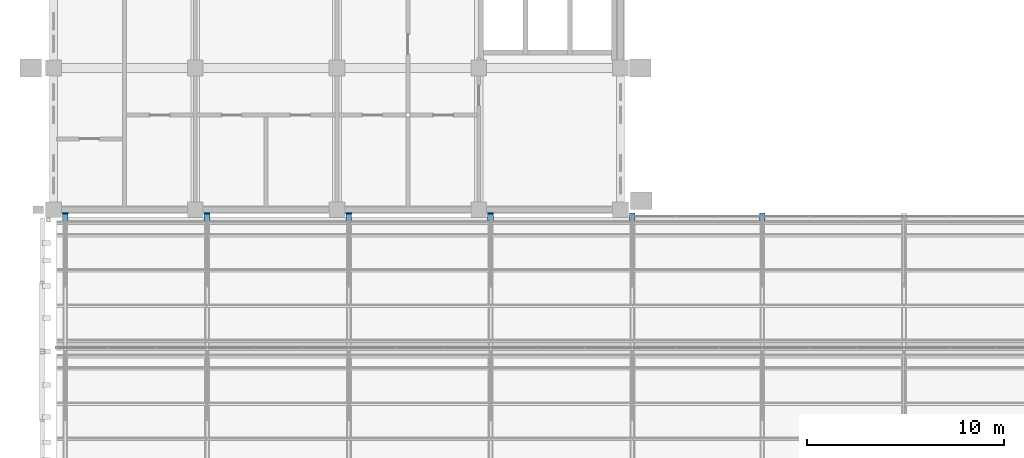
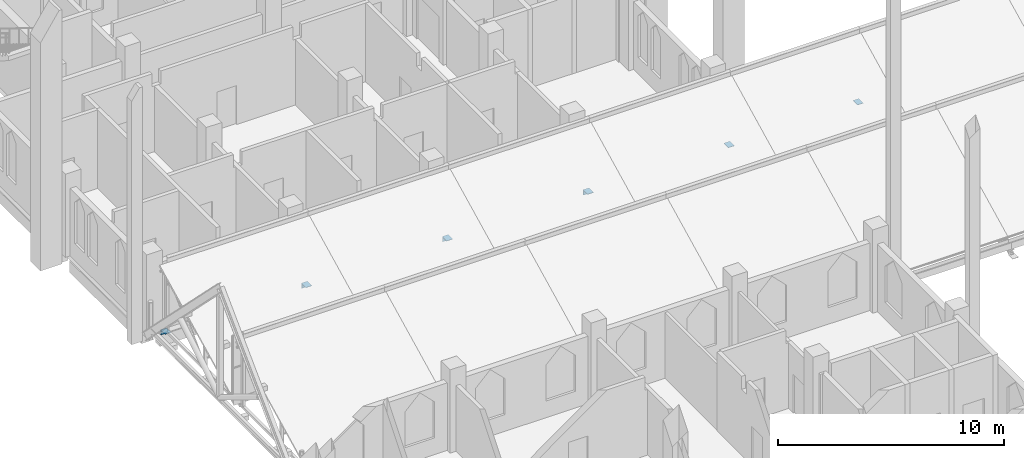
# One storey, part 26 of 29: 10 discrete accessories.
"""IFC4 building model written with IfcOpenShell, lengths in metres."""

from ifc_helpers import new_model, si_unit, direction, frame, origin, origin_2d, place, context, subcontext, project, spatial, rectangle, extrude, material, element, save


model = new_model("IFC4")

# Units and contexts
model_context = context("Model", 3, precision=1e-05, world=origin(), true_north=direction((0.0, 1.0)))
body_context = subcontext(model_context, "Body", "Model", "MODEL_VIEW")
ifc_project = project(units=[si_unit("LENGTHUNIT", "METRE"), si_unit("AREAUNIT", "SQUARE_METRE"), si_unit("VOLUMEUNIT", "CUBIC_METRE"), si_unit("PLANEANGLEUNIT", "RADIAN"), si_unit("MASSUNIT", "GRAM", prefix="KILO")], contexts=[model_context])

# Site, building, storey
site_placement = place(None, origin())
site = spatial("IfcSite", under=ifc_project, at=site_placement, CompositionType="ELEMENT")
building_placement = place(site_placement, origin())
building = spatial("IfcBuilding", under=site, at=building_placement, Name="Silangan Lancet Faculty of Sciences", CompositionType="ELEMENT")
storey_placement = place(building_placement, frame((0.0, 0.0, 40.800048828125)))
storey = spatial("IfcBuildingStorey", under=building, at=storey_placement, Name="L08", CompositionType="ELEMENT", Elevation=40.800048828125)

# Discrete accessories
discrete_accessory_1_placement = place(storey_placement, frame((0.60009765625, 35.820068359375, -0.25), z_axis=(0.0, 0.0, 1.0), x_axis=(1.0, 0.0, 0.0)))
element("IfcDiscreteAccessory", 1, at=discrete_accessory_1_placement, inside=storey, Name="Truss bearing pedestal ATRIUM-1-3", PredefinedType="BRACKET", context=body_context, shape_type="SweptSolid", body=[
    extrude(rectangle(XDim=0.300048828125, YDim=0.0400390625, at=origin_2d()), origin(), (0.0, 0.0, 1.0), 0.25),
])
ifc_material = material(Name="Steel SS400", Category="steel")
discrete_accessory_2_placement = place(storey_placement, frame((0.60009765625, 35.639892578125, 0.0), z_axis=(0.0, 0.0, 1.0), x_axis=(1.0, 0.0, 0.0)))
element("IfcDiscreteAccessory", 2, at=discrete_accessory_2_placement, inside=storey, material=ifc_material, Name="Truss bearing plate ATRIUM-1-3", PredefinedType="ANCHORPLATE", context=body_context, shape_type="SweptSolid", body=[
    extrude(rectangle(XDim=0.300048828125, YDim=0.39990234375, at=origin_2d()), origin(), (0.0, 0.0, 1.0), 0.02001953125),
])
discrete_accessory_3_placement = place(storey_placement, frame((7.800048828125, 35.820068359375, -0.25), z_axis=(0.0, 0.0, 1.0), x_axis=(1.0, 0.0, 0.0)))
element("IfcDiscreteAccessory", 3, at=discrete_accessory_3_placement, inside=storey, Name="Truss bearing pedestal ATRIUM-2-3", PredefinedType="BRACKET", context=body_context, shape_type="SweptSolid", body=[
    extrude(rectangle(XDim=0.300048828125, YDim=0.0400390625, at=origin_2d()), origin(), (0.0, 0.0, 1.0), 0.25),
])
discrete_accessory_4_placement = place(storey_placement, frame((7.800048828125, 35.639892578125, 0.0), z_axis=(0.0, 0.0, 1.0), x_axis=(1.0, 0.0, 0.0)))
element("IfcDiscreteAccessory", 4, at=discrete_accessory_4_placement, inside=storey, material=ifc_material, Name="Truss bearing plate ATRIUM-2-3", PredefinedType="ANCHORPLATE", context=body_context, shape_type="SweptSolid", body=[
    extrude(rectangle(XDim=0.300048828125, YDim=0.39990234375, at=origin_2d()), origin(), (0.0, 0.0, 1.0), 0.02001953125),
])
discrete_accessory_5_placement = place(storey_placement, frame((15.0, 35.820068359375, -0.25), z_axis=(0.0, 0.0, 1.0), x_axis=(1.0, 0.0, 0.0)))
element("IfcDiscreteAccessory", 5, at=discrete_accessory_5_placement, inside=storey, Name="Truss bearing pedestal ATRIUM-3-3", PredefinedType="BRACKET", context=body_context, shape_type="SweptSolid", body=[
    extrude(rectangle(XDim=0.300048828125, YDim=0.0400390625, at=origin_2d()), origin(), (0.0, 0.0, 1.0), 0.25),
])
discrete_accessory_6_placement = place(storey_placement, frame((15.0, 35.639892578125, 0.0), z_axis=(0.0, 0.0, 1.0), x_axis=(1.0, 0.0, 0.0)))
element("IfcDiscreteAccessory", 6, at=discrete_accessory_6_placement, inside=storey, material=ifc_material, Name="Truss bearing plate ATRIUM-3-3", PredefinedType="ANCHORPLATE", context=body_context, shape_type="SweptSolid", body=[
    extrude(rectangle(XDim=0.300048828125, YDim=0.39990234375, at=origin_2d()), origin(), (0.0, 0.0, 1.0), 0.02001953125),
])
discrete_accessory_7_placement = place(storey_placement, frame((22.199951171875, 35.820068359375, -0.25), z_axis=(0.0, 0.0, 1.0), x_axis=(1.0, 0.0, 0.0)))
element("IfcDiscreteAccessory", 7, at=discrete_accessory_7_placement, inside=storey, Name="Truss bearing pedestal ATRIUM-4-3", PredefinedType="BRACKET", context=body_context, shape_type="SweptSolid", body=[
    extrude(rectangle(XDim=0.300048828125, YDim=0.0400390625, at=origin_2d()), origin(), (0.0, 0.0, 1.0), 0.25),
])
for number, where, z_axis, x_axis, name in (
    (8, (22.199951171875, 35.639892578125, 0.0), (0.0, 0.0, 1.0), (1.0, 0.0, 0.0), "Truss bearing plate ATRIUM-4-3"),
    (9, (29.39990234375, 35.639892578125, 0.0), (0.0, 0.0, 1.0), (1.0, 0.0, 0.0), "Truss bearing plate ATRIUM-5-3"),
    (10, (36.0, 35.639892578125, 0.0), (0.0, 0.0, 1.0), (1.0, 0.0, 0.0), "Truss bearing plate ATRIUM-6-3"),
):
    element("IfcDiscreteAccessory", number, at=place(storey_placement, frame(where, z_axis=z_axis, x_axis=x_axis)), inside=storey, material=ifc_material, Name=name, PredefinedType="ANCHORPLATE", context=body_context, shape_type="SweptSolid", body=[
        extrude(rectangle(XDim=0.300048828125, YDim=0.39990234375, at=origin_2d()), origin(), (0.0, 0.0, 1.0), 0.02001953125),
    ])

save(model, "model.ifc")
